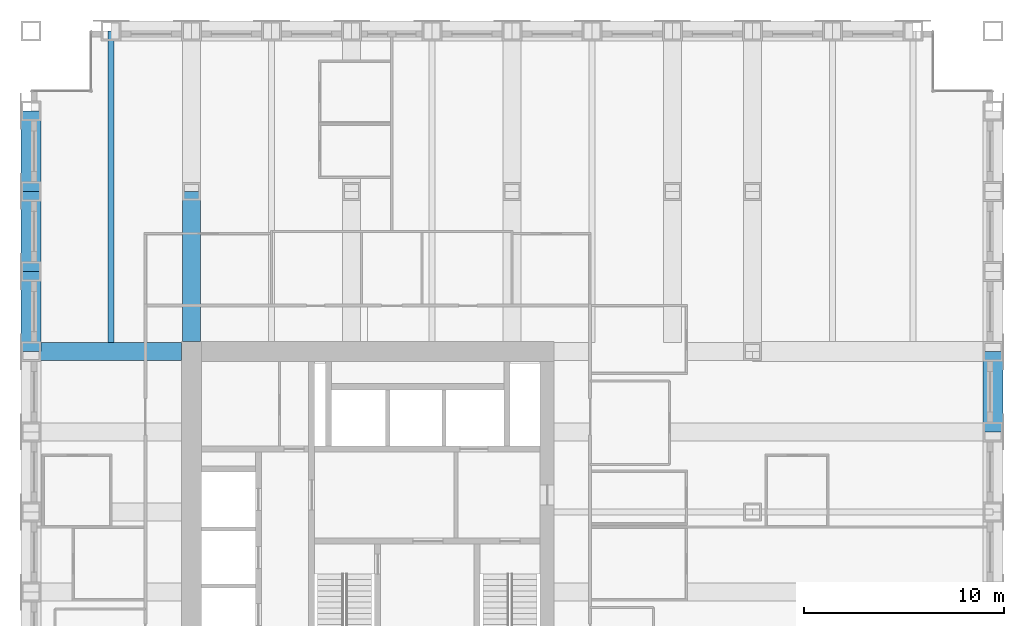
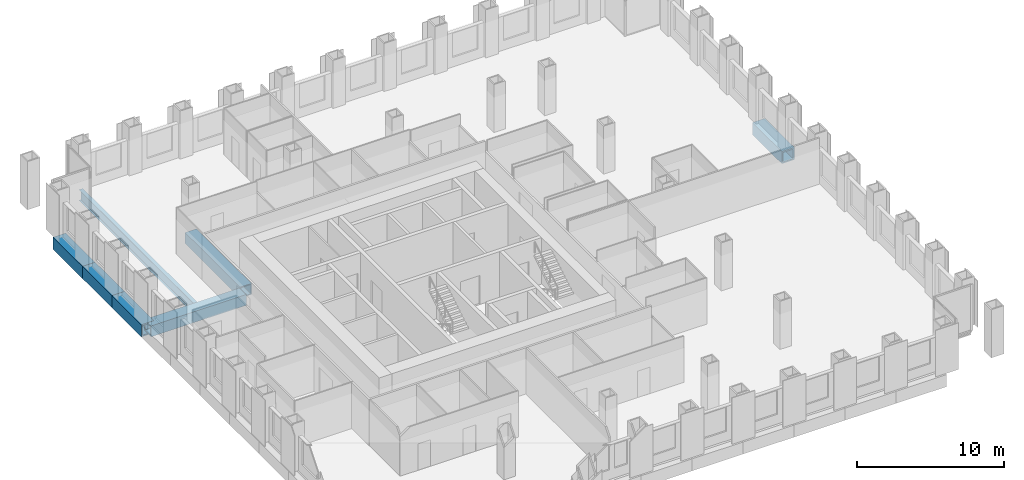
# One storey, part 5 of 16: 7 beams.
"""IFC4 building model written with IfcOpenShell, lengths in metres."""

from ifc_helpers import new_model, si_unit, direction, frame, origin, origin_2d, place, context, subcontext, project, spatial, hollow_rectangle, i_section, extrude, material, material_profile, profile_set, type_object, element, save


model = new_model("IFC4")

# Units and contexts
model_context = context("Model", 3, precision=1e-05, world=origin(), true_north=direction((0.0, 1.0)))
body_context = subcontext(model_context, "Body", "Model", "MODEL_VIEW")
ifc_project = project(units=[si_unit("LENGTHUNIT", "METRE"), si_unit("AREAUNIT", "SQUARE_METRE"), si_unit("VOLUMEUNIT", "CUBIC_METRE"), si_unit("PLANEANGLEUNIT", "RADIAN"), si_unit("MASSUNIT", "GRAM", prefix="KILO")], contexts=[model_context])

# Site, building, storey
site_placement = place(None, origin())
site = spatial("IfcSite", under=ifc_project, at=site_placement, CompositionType="ELEMENT")
building_placement = place(site_placement, origin())
building = spatial("IfcBuilding", under=site, at=building_placement, Name="Rimbunsela Tower", CompositionType="ELEMENT")
storey_placement = place(building_placement, frame((0.0, 0.0, 121.39990234375)))
storey = spatial("IfcBuildingStorey", under=building, at=storey_placement, Name="L29", CompositionType="ELEMENT", Elevation=121.39990234375)

# Beams
ifc_material_1 = material(Name="Steel BJ 55 (fy 410 MPa)", Category="steel")
ifc_material_profile_1 = material_profile(ifc_material_1, hollow_rectangle(XDim=1.0, YDim=1.0, WallThickness=0.10009765625, at=origin_2d()), Name="BOX 1000x1000x100")
ifc_profile_set_1 = profile_set([ifc_material_profile_1], Name="Steel BJ 55 (fy 410 MPa)")
beam_type_1 = type_object("IfcBeamType", Name="Beam BOX 1000x1000x100", PredefinedType="BEAM", material=ifc_profile_set_1)
for number, where, z_axis, x_axis, name in (
    (1, (10.0, 36.0, -0.64990234375), (0.0, 1.0, 0.0), (-1.0, 0.0, 0.0), "Beam B3 L29"),
    (2, (10.0, 40.0, -0.64990234375), (0.0, 1.0, 0.0), (-1.0, 0.0, 0.0), "Beam B3 L29"),
    (3, (10.0, 44.0, -0.64990234375), (0.0, 1.0, 0.0), (-1.0, 0.0, 0.0), "Beam B3 L29"),
    (4, (58.0, 32.0, -0.64990234375), (0.0, 1.0, 0.0), (-1.0, 0.0, 0.0), "Beam B3 L29"),
):
    element("IfcBeam", number, at=place(storey_placement, frame(where, z_axis=z_axis, x_axis=x_axis)), inside=storey, type_object=beam_type_1, Name=name, PredefinedType="BEAM", context=body_context, shape_type="SweptSolid", body=[
        extrude(hollow_rectangle(XDim=1.0, YDim=1.0, WallThickness=0.10009765625, at=origin_2d()), origin(), (0.0, 0.0, 1.0), 4.0),
    ])
ifc_material_2 = material(Name="Steel BJ 55 (fy 410 MPa)", Category="steel")
ifc_material_profile_2 = material_profile(ifc_material_2, hollow_rectangle(XDim=0.89990234375, YDim=0.89990234375, WallThickness=0.06005859375, at=origin_2d()), Name="BOX 900x900x60")
ifc_profile_set_2 = profile_set([ifc_material_profile_2], Name="Steel BJ 55 (fy 410 MPa)")
beam_type_2 = type_object("IfcBeamType", Name="Beam BOX 900x900x60", PredefinedType="BEAM", material=ifc_profile_set_2)
for number, where, z_axis, x_axis, name in (
    (5, (10.0, 36.0, -0.599853515625), (1.0, 0.0, 0.0), (0.0, 1.0, 0.0), "Beam B1 L29"),
    (6, (18.0, 36.5, -0.599853515625), (0.0, 1.0, 0.0), (-1.0, 0.0, 0.0), "Beam B1 L29"),
):
    element("IfcBeam", number, at=place(storey_placement, frame(where, z_axis=z_axis, x_axis=x_axis)), inside=storey, type_object=beam_type_2, Name=name, PredefinedType="BEAM", context=body_context, shape_type="SweptSolid", body=[
        extrude(hollow_rectangle(XDim=0.89990234375, YDim=0.89990234375, WallThickness=0.06005859375, at=origin_2d()), origin(), (0.0, 0.0, 1.0), 7.5),
    ])
ifc_material_3 = material(Name="Steel BJ 55 (fy 410 MPa)", Category="steel")
ifc_material_profile_3 = material_profile(ifc_material_3, i_section(OverallWidth=0.300048828125, OverallDepth=0.89990234375, WebThickness=0.01611328125, FlangeThickness=0.028076171875, FilletRadius=0.028076171875, at=origin_2d()), Name="H 900x300x16x28")
ifc_profile_set_3 = profile_set([ifc_material_profile_3], Name="Steel BJ 55 (fy 410 MPa)")
beam_type_3 = type_object("IfcBeamType", Name="Beam H 900x300x16x28", PredefinedType="BEAM", material=ifc_profile_set_3)
beam_placement = place(storey_placement, frame((14.0, 36.449951171875, -0.599853515625), z_axis=(0.0, 1.0, 0.0), x_axis=(-1.0, 0.0, 0.0)))
element("IfcBeam", 7, at=beam_placement, inside=storey, type_object=beam_type_3, Name="Beam B2 L29", PredefinedType="BEAM", context=body_context, shape_type="SweptSolid", body=[
    extrude(i_section(OverallWidth=0.300048828125, OverallDepth=0.89990234375, WebThickness=0.01611328125, FlangeThickness=0.028076171875, FilletRadius=0.028076171875, at=origin_2d()), origin(), (0.0, 0.0, 1.0), 15.550048828125),
])

save(model, "model.ifc")
